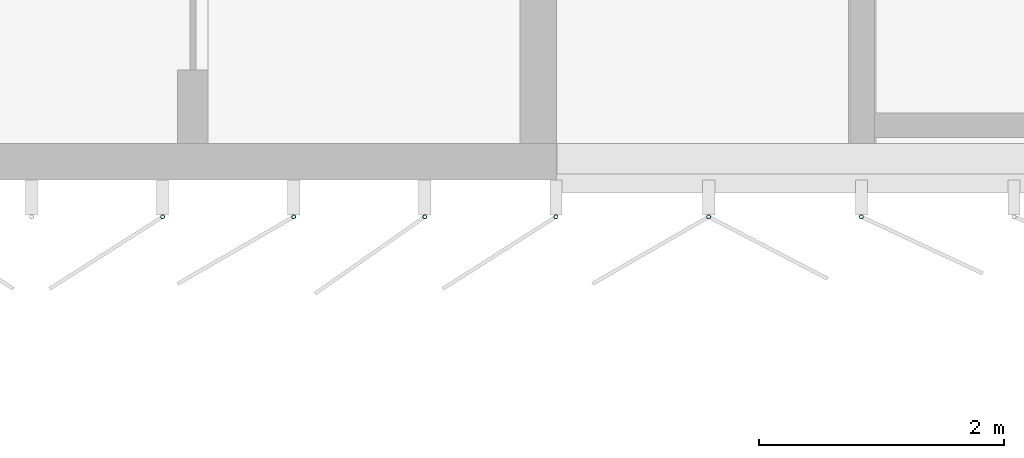
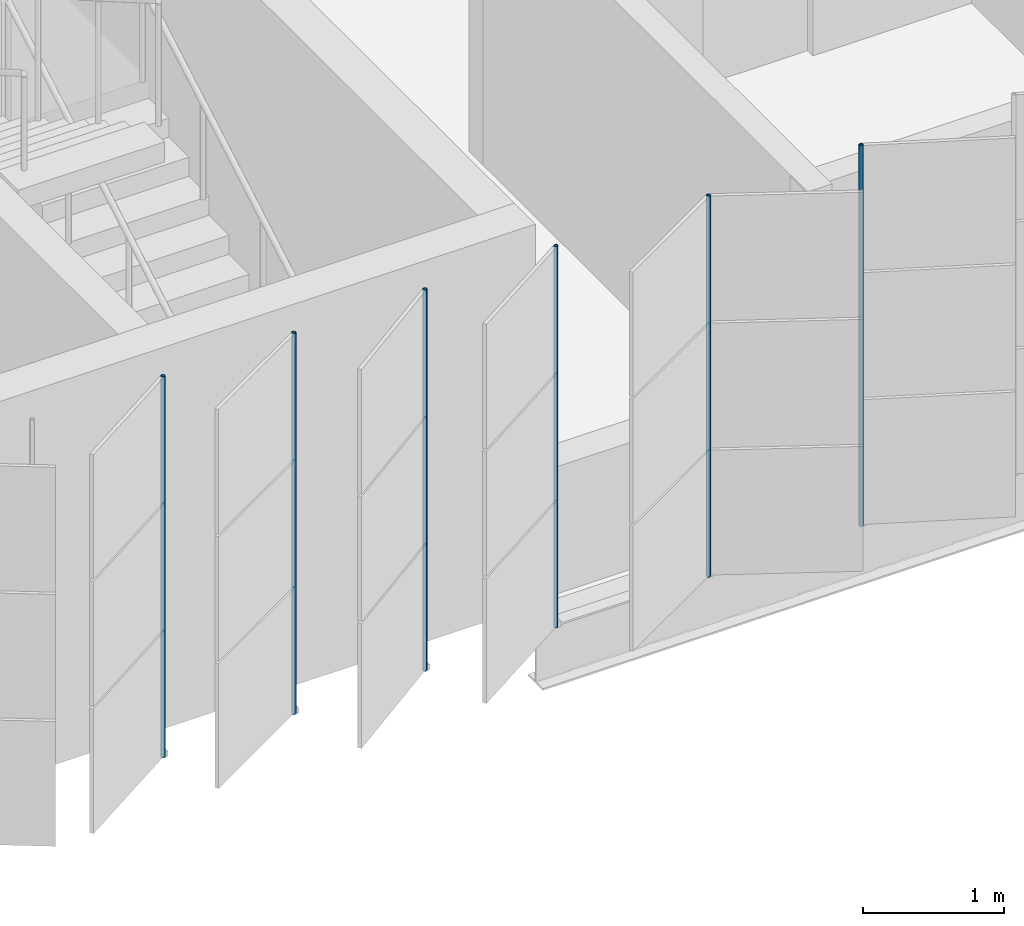
# One storey, part 94 of 214: 6 discrete accessories.
"""IFC4 building model written with IfcOpenShell, lengths in metres."""

from ifc_helpers import new_model, si_unit, direction, frame, origin, origin_2d, place, context, subcontext, project, spatial, hollow_circle, extrude, material, material_profile, profile_set, type_object, element, save


model = new_model("IFC4")

# Units and contexts
model_context = context("Model", 3, precision=1e-05, world=origin(), true_north=direction((0.0, 1.0)))
body_context = subcontext(model_context, "Body", "Model", "MODEL_VIEW")
ifc_project = project(units=[si_unit("LENGTHUNIT", "METRE"), si_unit("AREAUNIT", "SQUARE_METRE"), si_unit("VOLUMEUNIT", "CUBIC_METRE"), si_unit("PLANEANGLEUNIT", "RADIAN"), si_unit("MASSUNIT", "GRAM", prefix="KILO")], contexts=[model_context])

# Site, building, storey
site_placement = place(None, origin())
site = spatial("IfcSite", under=ifc_project, at=site_placement, CompositionType="ELEMENT")
building_placement = place(site_placement, origin())
building = spatial("IfcBuilding", under=site, at=building_placement, Name="Parallax Yard Mobility Hub", CompositionType="ELEMENT")
storey_placement = place(building_placement, frame((0.0, 0.0, 3.300048828125)))
storey = spatial("IfcBuildingStorey", under=building, at=storey_placement, Name="L01", CompositionType="ELEMENT", Elevation=3.300048828125)

# Discrete accessories
ifc_material = material(Name="Steel ASTM A500 Gr C, hot-dip galvanised", Category="steel")
ifc_material_profile = material_profile(ifc_material, hollow_circle(Radius=0.016845703125, WallThickness=0.003173828125, at=origin_2d()), Name="CHS 33.7x3.2")
ifc_profile_set = profile_set([ifc_material_profile], Name="Steel ASTM A500 Gr C, hot-dip galvanised")
discrete_accessory_type = type_object("IfcDiscreteAccessoryType", Name="Hinge post CHS 33.7x3.2", PredefinedType="BRACKET", material=ifc_profile_set)
for number, where, z_axis, x_axis, name in (
    (1, (79.277099609375, 112.199951171875, 0.0), (0.0, 0.0, 1.0), (1.0, 0.0, 0.0), "Hinge post bay 6.12 level L01"),
    (2, (80.349365234375, 112.199951171875, 0.0), (0.0, 0.0, 1.0), (1.0, 0.0, 0.0), "Hinge post bay 6.13 level L01"),
    (3, (81.421630859375, 112.199951171875, 0.0), (0.0, 0.0, 1.0), (1.0, 0.0, 0.0), "Hinge post bay 6.14 level L01"),
    (4, (82.493896484375, 112.199951171875, 0.0), (0.0, 0.0, 1.0), (1.0, 0.0, 0.0), "Hinge post bay 7.1 level L01"),
    (5, (83.7431640625, 112.199951171875, 0.0), (0.0, 0.0, 1.0), (1.0, 0.0, 0.0), "Hinge post bay 7.2 level L01"),
    (6, (84.992431640625, 112.199951171875, 0.0), (0.0, 0.0, 1.0), (1.0, 0.0, 0.0), "Hinge post bay 7.3 level L01"),
):
    element("IfcDiscreteAccessory", number, at=place(storey_placement, frame(where, z_axis=z_axis, x_axis=x_axis)), inside=storey, type_object=discrete_accessory_type, Name=name, PredefinedType="BRACKET", context=body_context, shape_type="SweptSolid", body=[
        extrude(hollow_circle(Radius=0.016845703125, WallThickness=0.003173828125, at=origin_2d()), origin(), (0.0, 0.0, 1.0), 3.300048828125),
    ])

save(model, "model.ifc")
